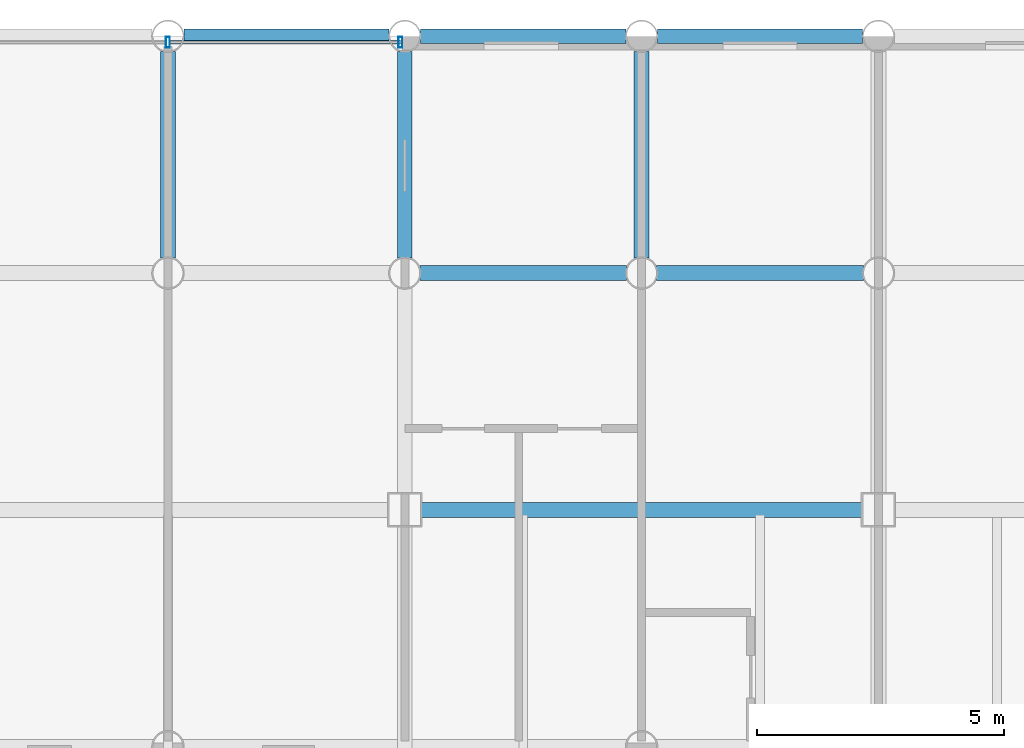
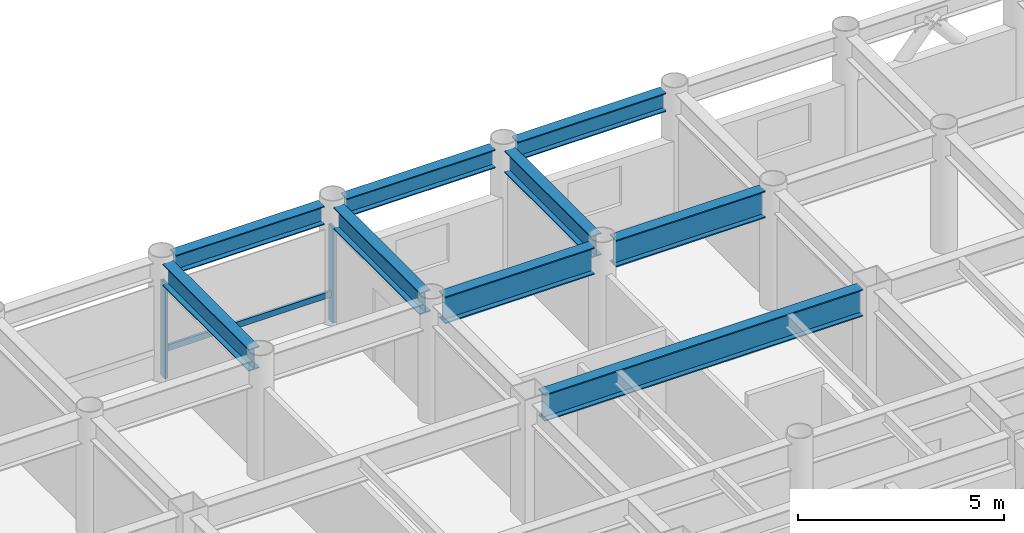
# One storey, part 13 of 21: 9 beams, 3 members, 1 element without a shape of its own.
"""IFC4 building model written with IfcOpenShell, lengths in metres."""

import ifcopenshell
import ifcopenshell.guid

model = None  # the IFC model being written
_history = None  # IfcOwnerHistory: only IFC2X3 demands one
_inside = {}  # id of a spatial element -> (the spatial element, [elements in it])
_under = {}  # id of a project, library or spatial element -> (it, [spatial elements below it])
_declared = {}  # id of a project -> (the project, [libraries it declares])
_typed = {}  # id of a type object -> (the type object, [elements of that type])
_made_of = {}  # id of a material, layer set ... -> (it, [elements and type objects made of it])


def new_model(schema):
    """Start an empty IFC model of exactly this schema.

    Asked for "IFC4X3", IfcOpenShell would pick the latest addendum, in which some entities
    have other attributes; the version numbers below select the first issue.
    IFC2X3 requires an IfcOwnerHistory on every rooted entity: one is made here for all.
    """
    global model, _history
    if schema == "IFC4X3":
        model = ifcopenshell.file(schema_version=(4, 3, 0, 0))
    else:
        model = ifcopenshell.file(schema=schema)
    _inside.clear()
    _under.clear()
    _declared.clear()
    _typed.clear()
    _made_of.clear()
    _history = None
    if model.schema == "IFC2X3":
        org = make("IfcOrganization", Name="unknown")
        user = make(
            "IfcPersonAndOrganization",
            ThePerson=make("IfcPerson", FamilyName="unknown"),
            TheOrganization=org,
        )
        app = make(
            "IfcApplication",
            ApplicationDeveloper=org,
            Version="unknown",
            ApplicationFullName="unknown",
            ApplicationIdentifier="unknown",
        )
        _history = make(
            "IfcOwnerHistory",
            OwningUser=user,
            OwningApplication=app,
            ChangeAction="ADDED",
            CreationDate=0,
        )
    return model


def make(cls, **values):
    """One entity of the class cls with the attributes given. An attribute that is None is left unset."""
    return model.create_entity(
        cls, **{name: value for name, value in values.items() if value is not None}
    )


def rooted(cls, **values):
    """An entity with a GlobalId (a new one), such as an element, a storey or a relation."""
    return make(cls, GlobalId=ifcopenshell.guid.new(), OwnerHistory=_history, **values)


def si_unit(unit_type, name, prefix=None):
    """IfcSIUnit, for example si_unit("LENGTHUNIT", "METRE", prefix="MILLI")."""
    return make("IfcSIUnit", UnitType=unit_type, Prefix=prefix, Name=name)


def assignment(units):
    """IfcUnitAssignment: the units of a project."""
    return None if units is None else make("IfcUnitAssignment", Units=units)


def point(xyz):
    """IfcCartesianPoint."""
    return None if xyz is None else make("IfcCartesianPoint", Coordinates=xyz)


def direction(xyz):
    """IfcDirection."""
    return None if xyz is None else make("IfcDirection", DirectionRatios=xyz)


def frame(location, z_axis=None, x_axis=None):
    """IfcAxis2Placement3D, a coordinate frame: its origin and axes. An axis left out is left unset."""
    return make(
        "IfcAxis2Placement3D",
        Location=point(location),
        Axis=direction(z_axis),
        RefDirection=direction(x_axis),
    )


def frame_2d(location, x_axis=None):
    """IfcAxis2Placement2D, a coordinate frame in the plane: its origin and x axis."""
    return make(
        "IfcAxis2Placement2D", Location=point(location), RefDirection=direction(x_axis)
    )


def origin():
    """The frame at (0, 0, 0) with its axes left unset."""
    return frame((0.0, 0.0, 0.0))


def origin_2d():
    """The frame at (0, 0) in the plane with its x axis left unset."""
    return frame_2d((0.0, 0.0))


def place(relative_to, where):
    """IfcLocalPlacement: puts the frame where relative to a parent placement (None: the world)."""
    return make(
        "IfcLocalPlacement", PlacementRelTo=relative_to, RelativePlacement=where
    )


def context(
    kind, dimensions, precision=None, world=None, true_north=None, identifier=None
):
    """IfcGeometricRepresentationContext, for example the 3D "Model" context."""
    return make(
        "IfcGeometricRepresentationContext",
        ContextIdentifier=identifier,
        ContextType=kind,
        CoordinateSpaceDimension=dimensions,
        Precision=precision,
        WorldCoordinateSystem=world,
        TrueNorth=true_north,
    )


def subcontext(parent, identifier, kind, view, scale=None):
    """IfcGeometricRepresentationSubContext, for example "Body" below "Model"."""
    return make(
        "IfcGeometricRepresentationSubContext",
        ContextIdentifier=identifier,
        ContextType=kind,
        ParentContext=parent,
        TargetScale=scale,
        TargetView=view,
    )


def project(units=None, contexts=None):
    """IfcProject with its units and contexts."""
    return rooted(
        "IfcProject",
        Name="project",
        RepresentationContexts=contexts,
        UnitsInContext=assignment(units),
    )


def spatial(cls, under=None, at=None, **own):
    """A site, building, storey or space (cls), placed at a placement, below another one or the project."""
    s = rooted(cls, ObjectPlacement=at, **own)
    if under is not None:
        _under.setdefault(under.id(), (under, []))[1].append(s)
    return s


def profile(cls, at=None, kind="AREA", **sizes):
    """A parametric profile (cls). Its sizes go by their IFC names, for example OverallWidth=200.0."""
    return make(cls, ProfileType=kind, Position=at, **sizes)


def hollow_rectangle(**sizes):
    """IfcRectangleHollowProfileDef."""
    return profile("IfcRectangleHollowProfileDef", **sizes)


def i_section(**sizes):
    """IfcIShapeProfileDef."""
    return profile("IfcIShapeProfileDef", **sizes)


def extrude(swept, where, along, depth):
    """IfcExtrudedAreaSolid: the profile swept, set in the frame where, extruded along a direction by depth."""
    return make(
        "IfcExtrudedAreaSolid",
        SweptArea=swept,
        Position=where,
        ExtrudedDirection=direction(along),
        Depth=depth,
    )


def shape(context_of_items, identifier, shape_type, items):
    """IfcShapeRepresentation: the items that make up one representation, for example the "Body"."""
    return make(
        "IfcShapeRepresentation",
        ContextOfItems=context_of_items,
        RepresentationIdentifier=identifier,
        RepresentationType=shape_type,
        Items=items,
    )


def material(Name=None, Category=None):
    """IfcMaterial."""
    return make("IfcMaterial", Name=Name, Category=Category)


def layer(
    of_material, thickness, ventilated=None, Name=None, Category=None, Priority=None
):
    """IfcMaterialLayer: one layer of a wall or slab, of a material (None: an air gap)."""
    return make(
        "IfcMaterialLayer",
        Material=of_material,
        LayerThickness=thickness,
        IsVentilated=ventilated,
        Name=Name,
        Category=Category,
        Priority=Priority,
    )


def layer_set(layers, Name=None):
    """IfcMaterialLayerSet."""
    return make("IfcMaterialLayerSet", MaterialLayers=layers, LayerSetName=Name)


def material_profile(
    of_material, cross_section, Name=None, Category=None, Priority=None
):
    """IfcMaterialProfile: a cross section and its material."""
    return make(
        "IfcMaterialProfile",
        Name=Name,
        Material=of_material,
        Profile=cross_section,
        Priority=Priority,
        Category=Category,
    )


def profile_set(profiles, Name=None, composite=None):
    """IfcMaterialProfileSet."""
    return make(
        "IfcMaterialProfileSet",
        Name=Name,
        MaterialProfiles=profiles,
        CompositeProfile=composite,
    )


def made_of(thing, what):
    """Note that an element or type object is made of a material, layer set ...; save() writes the relation."""
    if what is not None:
        _made_of.setdefault(what.id(), (what, []))[1].append(thing)
    return thing


def type_object(cls, material=None, **own):
    """A type object (cls), such as IfcWallType, which elements share."""
    return made_of(rooted(cls, **own), material)


def element(
    cls,
    number,
    at=None,
    inside=None,
    cuts=None,
    type_object=None,
    material=None,
    context=None,
    identifier="Body",
    shape_type=None,
    held_by="IfcProductDefinitionShape",
    body=None,
    shapes=None,
    **own,
):
    """One element of the class cls, such as IfcWall. Its Tag is "e" and its number.

    at: its placement. inside: the storey or other place that contains it. cuts: it is an
    opening in that element (IfcRelVoidsElement). A single representation is given by context,
    identifier, shape_type and body (its items); several are given by shapes. held_by: the class
    of the entity that holds the representations. save() writes the other relations.
    """
    e = rooted(cls, Tag="e%d" % number, ObjectPlacement=at, **own)
    if body is not None:
        shapes = [shape(context, identifier, shape_type, body)]
    if shapes is not None:
        e.Representation = make(held_by, Representations=shapes)
    if inside is not None:
        _inside.setdefault(inside.id(), (inside, []))[1].append(e)
    if cuts is not None:
        rooted(
            "IfcRelVoidsElement", RelatingBuildingElement=cuts, RelatedOpeningElement=e
        )
    if type_object is not None:
        _typed.setdefault(type_object.id(), (type_object, []))[1].append(e)
    return made_of(e, material)


def aggregate(whole, parts):
    """IfcRelAggregates: a whole, such as a stair, and the parts it consists of."""
    return rooted("IfcRelAggregates", RelatingObject=whole, RelatedObjects=parts)


def save(model, path):
    """Write the relations noted so far, then the file.

    IfcRelAggregates (storeys below a building ...), IfcRelContainedInSpatialStructure (elements
    in a storey), IfcRelDefinesByType, IfcRelAssociatesMaterial and IfcRelDeclares: one each for
    every whole, place, type object, material and project.
    """
    for whole, parts in _under.values():
        aggregate(whole, parts)
    for where, things in _inside.values():
        rooted(
            "IfcRelContainedInSpatialStructure",
            RelatedElements=things,
            RelatingStructure=where,
        )
    for kind, things in _typed.values():
        rooted("IfcRelDefinesByType", RelatedObjects=things, RelatingType=kind)
    for what, things in _made_of.values():
        rooted("IfcRelAssociatesMaterial", RelatedObjects=things, RelatingMaterial=what)
    for by, libraries in _declared.values():
        rooted("IfcRelDeclares", RelatingContext=by, RelatedDefinitions=libraries)
    model.write(path)


model = new_model("IFC4")

# Units and contexts
model_context = context("Model", 3, precision=1e-05, world=origin(), true_north=direction((0.0, 1.0)))
body_context = subcontext(model_context, "Body", "Model", "MODEL_VIEW")
ifc_project = project(units=[si_unit("LENGTHUNIT", "METRE"), si_unit("AREAUNIT", "SQUARE_METRE"), si_unit("VOLUMEUNIT", "CUBIC_METRE"), si_unit("PLANEANGLEUNIT", "RADIAN"), si_unit("MASSUNIT", "GRAM", prefix="KILO")], contexts=[model_context])

# Site, building, storey
site_placement = place(None, origin())
site = spatial("IfcSite", under=ifc_project, at=site_placement, CompositionType="ELEMENT")
building_placement = place(site_placement, origin())
building = spatial("IfcBuilding", under=site, at=building_placement, Name="Kallvorn Hotel Tower", CompositionType="ELEMENT")
storey_placement = place(building_placement, frame((0.0, 0.0, 139.60009765625)))
storey = spatial("IfcBuildingStorey", under=building, at=storey_placement, Name="L34", CompositionType="ELEMENT", Elevation=139.60009765625)

# Beams
ifc_material_1 = material(Name="Structural steel S355JR", Category="steel")
ifc_material_profile_1 = material_profile(ifc_material_1, i_section(OverallWidth=0.300048828125, OverallDepth=0.550048828125, WebThickness=0.014892578125, FlangeThickness=0.029052734375, at=origin_2d()), Name="HE 550 B")
ifc_profile_set_1 = profile_set([ifc_material_profile_1], Name="Structural steel S355JR")
beam_type_1 = type_object("IfcBeamType", Name="BM_HE550B", PredefinedType="SPANDREL", material=ifc_profile_set_1)
for number, where, z_axis, x_axis, name in (
    (1, (0.320068359375, 24.0, 3.244873046875), (1.0, 0.0, 0.0), (0.0, 1.0, 0.0), "L35 Perimeter Spandrel 169"),
    (2, (5.1201171875, 24.0, 3.244873046875), (1.0, 0.0, 0.0), (0.0, 1.0, 0.0), "L35 Perimeter Spandrel 170"),
):
    element("IfcBeam", number, at=place(storey_placement, frame(where, z_axis=z_axis, x_axis=x_axis)), inside=storey, type_object=beam_type_1, Name=name, PredefinedType="SPANDREL", context=body_context, shape_type="SweptSolid", body=[
        extrude(i_section(OverallWidth=0.300048828125, OverallDepth=0.550048828125, WebThickness=0.014892578125, FlangeThickness=0.029052734375, at=origin_2d()), origin(), (0.0, 0.0, 1.0), 4.159912109375),
    ])
beam_1_placement = place(storey_placement, frame((9.919921875, 24.0, 3.244873046875), z_axis=(1.0, 0.0, 0.0), x_axis=(0.0, 1.0, 0.0)))
element("IfcBeam", 3, at=beam_1_placement, inside=storey, type_object=beam_type_1, Name="L35 Perimeter Spandrel 171", PredefinedType="SPANDREL", context=body_context, shape_type="SweptSolid", body=[
    extrude(i_section(OverallWidth=0.300048828125, OverallDepth=0.550048828125, WebThickness=0.014892578125, FlangeThickness=0.029052734375, at=origin_2d()), origin(), (0.0, 0.0, 1.0), 4.16015625),
])
ifc_material_2 = material(Name="Structural steel S355JR", Category="steel")
ifc_material_profile_2 = material_profile(ifc_material_2, i_section(OverallWidth=0.300048828125, OverallDepth=0.64990234375, WebThickness=0.01611328125, FlangeThickness=0.031005859375, at=origin_2d()), Name="HE 650 B")
ifc_profile_set_2 = profile_set([ifc_material_profile_2], Name="Structural steel S355JR")
beam_type_2 = type_object("IfcBeamType", Name="BM_HE650B", PredefinedType="BEAM", material=ifc_profile_set_2)
for number, where, z_axis, x_axis, name in (
    (4, (0.0, 19.5048828125, 3.19482421875), (0.0, 1.0, 0.0), (-1.0, 0.0, 0.0), "L35 Primary Y-Girder 113"),
    (5, (4.800048828125, 19.5048828125, 3.19482421875), (0.0, 1.0, 0.0), (-1.0, 0.0, 0.0), "L35 Primary Y-Girder 118"),
    (6, (9.60009765625, 19.5048828125, 3.19482421875), (0.0, 1.0, 0.0), (-1.0, 0.0, 0.0), "L35 Primary Y-Girder 121"),
):
    element("IfcBeam", number, at=place(storey_placement, frame(where, z_axis=z_axis, x_axis=x_axis)), inside=storey, type_object=beam_type_2, Name=name, PredefinedType="BEAM", context=body_context, shape_type="SweptSolid", body=[
        extrude(i_section(OverallWidth=0.300048828125, OverallDepth=0.64990234375, WebThickness=0.01611328125, FlangeThickness=0.031005859375, at=origin_2d()), origin(), (0.0, 0.0, 1.0), 4.190185546875),
    ])
ifc_material_3 = material(Name="Structural steel S355JR", Category="steel")
ifc_material_profile_3 = material_profile(ifc_material_3, i_section(OverallWidth=0.300048828125, OverallDepth=0.800048828125, WebThickness=0.017578125, FlangeThickness=0.032958984375, at=origin_2d()), Name="HE 800 B")
ifc_profile_set_3 = profile_set([ifc_material_profile_3], Name="Structural steel S355JR")
beam_type_3 = type_object("IfcBeamType", Name="BM_HE800B", PredefinedType="BEAM", material=ifc_profile_set_3)
beam_2_placement = place(storey_placement, frame((5.125, 14.39990234375, 3.119873046875), z_axis=(1.0, 0.0, 0.0), x_axis=(0.0, 1.0, 0.0)))
element("IfcBeam", 7, at=beam_2_placement, inside=storey, type_object=beam_type_3, Name="L35 Primary X-Girder 56", PredefinedType="BEAM", context=body_context, shape_type="SweptSolid", body=[
    extrude(i_section(OverallWidth=0.300048828125, OverallDepth=0.800048828125, WebThickness=0.017578125, FlangeThickness=0.032958984375, at=origin_2d()), origin(), (0.0, 0.0, 1.0), 8.949951171875),
])
for number, where, z_axis, x_axis, name in (
    (8, (5.10498046875, 19.199951171875, 3.119873046875), (1.0, 0.0, 0.0), (0.0, 1.0, 0.0), "L35 Primary X-Girder 68"),
    (9, (9.905029296875, 19.199951171875, 3.119873046875), (1.0, 0.0, 0.0), (0.0, 1.0, 0.0), "L35 Primary X-Girder 69"),
):
    element("IfcBeam", number, at=place(storey_placement, frame(where, z_axis=z_axis, x_axis=x_axis)), inside=storey, type_object=beam_type_3, Name=name, PredefinedType="BEAM", context=body_context, shape_type="SweptSolid", body=[
        extrude(i_section(OverallWidth=0.300048828125, OverallDepth=0.800048828125, WebThickness=0.017578125, FlangeThickness=0.032958984375, at=origin_2d()), origin(), (0.0, 0.0, 1.0), 4.18994140625),
    ])

# Curtain wall, members
ifc_material_4 = material(Name="Thermally broken black-anodised aluminium AA 6063-T6", Category="aluminium")
ifc_layer = layer(ifc_material_4, 0.2099609375)
ifc_layer_set = layer_set([ifc_layer], Name="CW_SYS_4_HOTEL_MID")
curtain_wall_type = type_object("IfcCurtainWallType", Name="CW_SYS_4_HOTEL_MID", PredefinedType="USERDEFINED", material=ifc_layer_set)
curtain_wall_placement = place(storey_placement, origin())
curtain_wall = element("IfcCurtainWall", 10, at=curtain_wall_placement, inside=storey, type_object=curtain_wall_type, Name="L34 Dark-Glass Curtain Wall CW-L34-NC", ObjectType="UNITISED CURTAIN WALL", PredefinedType="USERDEFINED")
ifc_material_5 = material(Name="Thermally broken black-anodised aluminium AA 6063-T6", Category="aluminium")
ifc_material_profile_4 = material_profile(ifc_material_5, hollow_rectangle(XDim=0.080078125, YDim=0.219970703125, WallThickness=0.0048828125, at=origin_2d()), Name="MUL 220x80")
ifc_profile_set_4 = profile_set([ifc_material_profile_4], Name="Thermally broken black-anodised aluminium AA 6063-T6")
member_type_1 = type_object("IfcMemberType", Name="CW_MULLION_220x80", PredefinedType="MULLION", material=ifc_profile_set_4)
member_1_placement = place(storey_placement, frame((0.0, 23.8798828125, 0.02001953125), z_axis=(0.0, 0.0, 1.0), x_axis=(1.0, 0.0, 0.0)))
member_1 = element("IfcMember", 11, at=member_1_placement, type_object=member_type_1, Name="CW-L34-NC Mullion 01", PredefinedType="MULLION", context=body_context, shape_type="SweptSolid", body=[
    extrude(hollow_rectangle(XDim=0.080078125, YDim=0.219970703125, WallThickness=0.0048828125, at=origin_2d()), origin(), (0.0, 0.0, 1.0), 2.829833984375),
])
member_2_placement = place(storey_placement, frame((4.7099609375, 23.8798828125, 0.02001953125), z_axis=(0.0, 0.0, 1.0), x_axis=(1.0, 0.0, 0.0)))
member_2 = element("IfcMember", 12, at=member_2_placement, type_object=member_type_1, Name="CW-L34-NC Mullion 02", PredefinedType="MULLION", context=body_context, shape_type="SweptSolid", body=[
    extrude(hollow_rectangle(XDim=0.080078125, YDim=0.219970703125, WallThickness=0.0048828125, at=origin_2d()), origin(), (0.0, 0.0, 1.0), 2.829833984375),
])
ifc_material_6 = material(Name="Thermally broken black-anodised aluminium AA 6063-T6", Category="aluminium")
ifc_material_profile_5 = material_profile(ifc_material_6, hollow_rectangle(XDim=0.070068359375, YDim=0.179931640625, WallThickness=0.00390625, at=origin_2d()), Name="TRN 180x70")
ifc_profile_set_5 = profile_set([ifc_material_profile_5], Name="Thermally broken black-anodised aluminium AA 6063-T6")
member_type_2 = type_object("IfcMemberType", Name="CW_TRANSOM_180x70", PredefinedType="USERDEFINED", material=ifc_profile_set_5)
member_3_placement = place(storey_placement, frame((0.0400390625, 23.8798828125, 0.849853515625), z_axis=(1.0, 0.0, 0.0), x_axis=(0.0, 1.0, 0.0)))
member_3 = element("IfcMember", 13, at=member_3_placement, type_object=member_type_2, Name="CW-L34-NC Transom 01M", ObjectType="TRANSOM", PredefinedType="USERDEFINED", context=body_context, shape_type="SweptSolid", body=[
    extrude(hollow_rectangle(XDim=0.070068359375, YDim=0.179931640625, WallThickness=0.00390625, at=origin_2d()), origin(), (0.0, 0.0, 1.0), 4.669921875),
])
aggregate(curtain_wall, [member_1, member_2, member_3])

save(model, "model.ifc")
